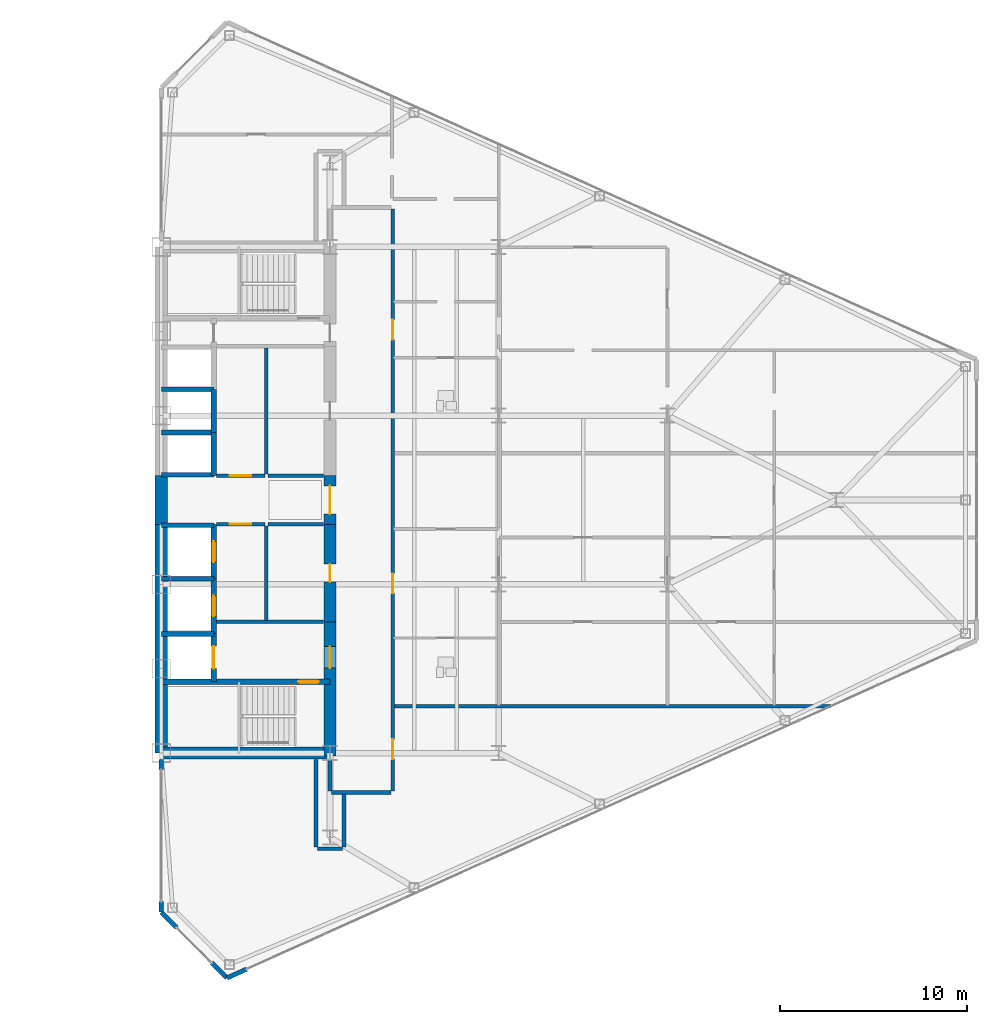
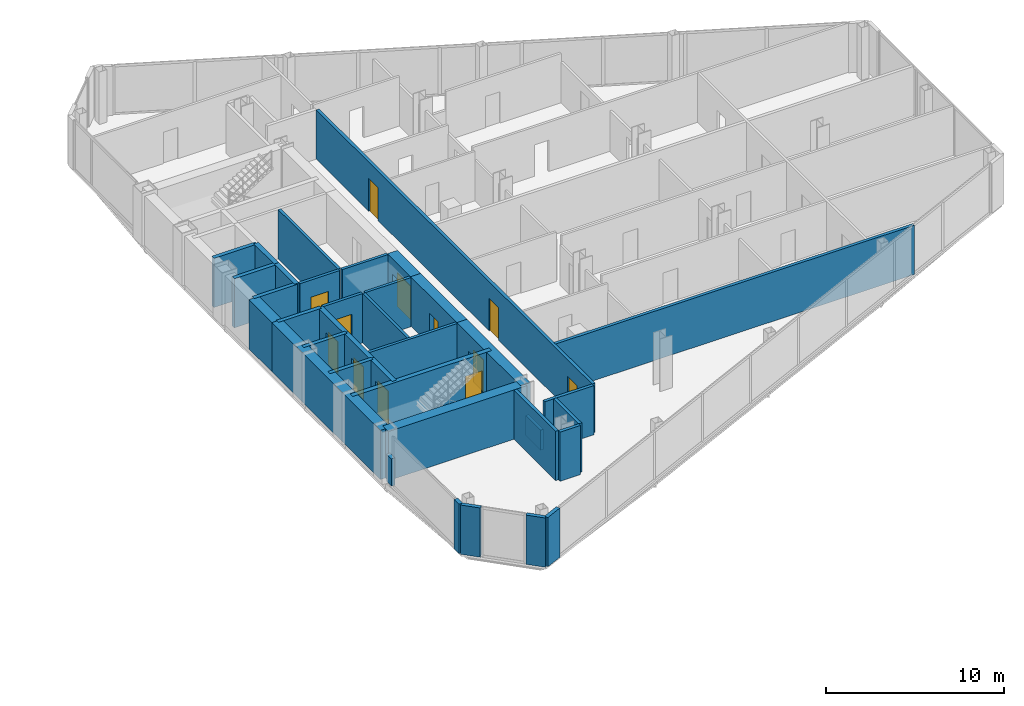
# One storey, part 22 of 27: 37 walls, 12 doors, 12 openings.
"""IFC4 building model written with IfcOpenShell, lengths in metres."""

from ifc_helpers import new_model, si_unit, direction, frame, frame_2d, origin, place, context, subcontext, project, spatial, rectangle, extrude, source, transform, mapped, material, layer, layer_set, type_object, type_shapes, element, fill, save


model = new_model("IFC4")

# Units and contexts
model_context = context("Model", 3, precision=1e-05, world=origin(), true_north=direction((0.0, 1.0)))
body_context = subcontext(model_context, "Body", "Model", "MODEL_VIEW")
ifc_project = project(units=[si_unit("LENGTHUNIT", "METRE"), si_unit("AREAUNIT", "SQUARE_METRE"), si_unit("VOLUMEUNIT", "CUBIC_METRE"), si_unit("PLANEANGLEUNIT", "RADIAN"), si_unit("MASSUNIT", "GRAM", prefix="KILO")], contexts=[model_context])

# Site, building, storey
site_placement = place(None, origin())
site = spatial("IfcSite", under=ifc_project, at=site_placement, CompositionType="ELEMENT")
building_placement = place(site_placement, origin())
building = spatial("IfcBuilding", under=site, at=building_placement, Name="Seokmaru Belvedere", CompositionType="ELEMENT")
storey_placement = place(building_placement, frame((0.0, 0.0, 106.800048828125)))
storey = spatial("IfcBuildingStorey", under=building, at=storey_placement, Name="L28", CompositionType="ELEMENT", Elevation=106.800048828125)

# Walls
ifc_material_1 = material(Name="Fire-Rated Gypsum Shaftwall")
ifc_layer_1 = layer(ifc_material_1, 0.179931640625)
ifc_layer_set_1 = layer_set([ifc_layer_1], Name="Fire-Rated Gypsum Shaftwall")
wall_type_1 = type_object("IfcWallType", Name="Core Service Fire Partition 180", PredefinedType="PARTITIONING", material=ifc_layer_set_1)
wall_1_placement = place(storey_placement, frame((30.449951171875, -6.5, 0.0), z_axis=(0.0, 0.0, 1.0), x_axis=(1.0, 0.0, 0.0)))
element("IfcWall", 1, at=wall_1_placement, inside=storey, type_object=wall_type_1, Name="L28 East Firefighting Lobby Partition", PredefinedType="PARTITIONING", context=body_context, shape_type="SweptSolid", body=[
    extrude(rectangle(XDim=5.699951171875, YDim=0.179931640625, at=frame_2d((2.85009765625, 0.0))), origin(), (0.0, 0.0, 1.0), 3.3798828125),
])
wall_2_placement = place(storey_placement, frame((33.10009765625, -6.419921875, 0.0), z_axis=(0.0, 0.0, 1.0), x_axis=(0.0, 1.0, 0.0)))
element("IfcWall", 2, at=wall_2_placement, inside=storey, type_object=wall_type_1, Name="L28 East South Core Service Back Wall", PredefinedType="PARTITIONING", context=body_context, shape_type="SweptSolid", body=[
    extrude(rectangle(XDim=5.0400390625, YDim=0.179931640625, at=frame_2d((2.52001953125, 0.0))), origin(), (0.0, 0.0, 1.0), 3.3798828125),
])
wall_3_placement = place(storey_placement, frame((33.10009765625, 1.3798828125, 0.0), z_axis=(0.0, 0.0, 1.0), x_axis=(0.0, 1.0, 0.0)))
element("IfcWall", 3, at=wall_3_placement, inside=storey, type_object=wall_type_1, Name="L28 East North Core Service Back Wall", PredefinedType="PARTITIONING", context=body_context, shape_type="SweptSolid", body=[
    extrude(rectangle(XDim=6.740234375, YDim=0.179931640625, at=frame_2d((3.3701171875, 0.0))), origin(), (0.0, 0.0, 1.0), 3.3798828125),
])

# Wall, opening, door
wall_4_placement = place(storey_placement, frame((30.449951171875, -1.300048828125, 0.0), z_axis=(0.0, 0.0, 1.0), x_axis=(1.0, 0.0, 0.0)))
wall_4 = element("IfcWall", 4, at=wall_4_placement, inside=storey, type_object=wall_type_1, Name="L28 East South Lift Lobby Foyer Wall", PredefinedType="PARTITIONING", context=body_context, shape_type="SweptSolid", body=[
    extrude(rectangle(XDim=2.570068359375, YDim=0.179931640625, at=frame_2d((1.28515625, 0.0))), origin(), (0.0, 0.0, 1.0), 3.3798828125),
])
opening_1_placement = place(wall_4_placement, frame((0.7099609375, 0.0, 0.0)))
opening_1 = element("IfcOpeningElement", 5, at=opening_1_placement, cuts=wall_4, Name="Opening D02", PredefinedType="OPENING", context=body_context, shape_type="SweptSolid", body=[
    extrude(rectangle(XDim=1.14990234375, YDim=2.199951171875, at=frame_2d((0.574951171875, 1.10009765625))), frame((0.0, 0.10009765625, 0.0), z_axis=(0.0, -1.0, 0.0), x_axis=(1.0, 0.0, 0.0)), (0.0, 0.0, 1.0), 0.199951171875),
])
ifc_material_2 = material(Name="Fire-Rated Steel Leaf", Category="steel")
door_type_1 = type_object("IfcDoorType", Name="Lobby and Vestibule Fire Door 1150x2200", OperationType="NOTDEFINED", PredefinedType="DOOR", material=ifc_material_2)
shared_shape_1 = source(origin(), body_context, "Body", "SweptSolid", [
    extrude(rectangle(XDim=1.14990234375, YDim=2.199951171875, at=frame_2d((0.574951171875, 1.10009765625))), frame((0.0, 0.02490234375, 0.0), z_axis=(0.0, -1.0, 0.0), x_axis=(1.0, 0.0, 0.0)), (0.0, 0.0, 1.0), 0.050048828125),
])
type_shapes(door_type_1, [shared_shape_1])
door_1_placement = place(opening_1_placement, origin())
door_1 = element("IfcDoor", 6, at=door_1_placement, inside=storey, type_object=door_type_1, Name="L28 East South Core Foyer Door", OperationType="SINGLE_SWING_RIGHT", OverallHeight=2.199951171875, OverallWidth=1.14990234375, PredefinedType="DOOR", context=body_context, shape_type="MappedRepresentation", body=[
    mapped(shared_shape_1, transform((0.0, 0.0, 0.0), scale=1.0)),
])
fill(opening_1, door_1)

wall_5_placement = place(storey_placement, frame((30.449951171875, 1.300048828125, 0.0), z_axis=(0.0, 0.0, 1.0), x_axis=(1.0, 0.0, 0.0)))
wall_5 = element("IfcWall", 7, at=wall_5_placement, inside=storey, type_object=wall_type_1, Name="L28 East North Lift Lobby Foyer Wall", PredefinedType="PARTITIONING", context=body_context, shape_type="SweptSolid", body=[
    extrude(rectangle(XDim=2.570068359375, YDim=0.179931640625, at=frame_2d((1.28515625, 0.0))), origin(), (0.0, 0.0, 1.0), 3.3798828125),
])
opening_2_placement = place(wall_5_placement, frame((0.7099609375, 0.0, 0.0)))
opening_2 = element("IfcOpeningElement", 8, at=opening_2_placement, cuts=wall_5, Name="Opening D02", PredefinedType="OPENING", context=body_context, shape_type="SweptSolid", body=[
    extrude(rectangle(XDim=1.14990234375, YDim=2.199951171875, at=frame_2d((0.574951171875, 1.10009765625))), frame((0.0, 0.10009765625, 0.0), z_axis=(0.0, -1.0, 0.0), x_axis=(1.0, 0.0, 0.0)), (0.0, 0.0, 1.0), 0.199951171875),
])
door_2_placement = place(opening_2_placement, origin())
door_2 = element("IfcDoor", 9, at=door_2_placement, inside=storey, type_object=door_type_1, Name="L28 East North Lift Lobby Door", OperationType="SINGLE_SWING_LEFT", OverallHeight=2.199951171875, OverallWidth=1.14990234375, PredefinedType="DOOR", context=body_context, shape_type="MappedRepresentation", body=[
    mapped(shared_shape_1, transform((0.0, 0.0, 0.0), scale=1.0)),
])
fill(opening_2, door_2)

# Walls
for number, where, z_axis, x_axis, name in (
    (10, (33.199951171875, -1.300048828125, 0.0), (0.0, 0.0, 1.0), (1.0, 0.0, 0.0), "L28 East Foyer Side Wall S"),
    (11, (33.199951171875, 1.300048828125, 0.0), (0.0, 0.0, 1.0), (1.0, 0.0, 0.0), "L28 East Foyer Side Wall N"),
):
    element("IfcWall", number, at=place(storey_placement, frame(where, z_axis=z_axis, x_axis=x_axis)), inside=storey, type_object=wall_type_1, Name=name, PredefinedType="PARTITIONING", context=body_context, shape_type="SweptSolid", body=[
        extrude(rectangle(XDim=2.949951171875, YDim=0.179931640625, at=frame_2d((1.47509765625, 0.0))), origin(), (0.0, 0.0, 1.0), 3.3798828125),
    ])
ifc_material_3 = material(Name="Concrete C50 (50 MPa)", Category="concrete")
ifc_layer_2 = layer(ifc_material_3, 0.25)
ifc_layer_set_2 = layer_set([ifc_layer_2], Name="Concrete C50 (50 MPa)")
wall_type_2 = type_object("IfcWallType", Name="Hoistway Transverse Concrete Divider Wall 250", PredefinedType="SHEAR", material=ifc_layer_set_2)
for number, where, z_axis, x_axis, name in (
    (12, (27.5, -7.14990234375, 0.0), (0.0, 0.0, 1.0), (1.0, 0.0, 0.0), "L28 East Hoistway Divider Core Wall 1"),
    (13, (27.5, -4.199951171875, 0.0), (0.0, 0.0, 1.0), (1.0, 0.0, 0.0), "L28 East Hoistway Divider Core Wall 2"),
    (14, (27.5, -1.35009765625, 0.0), (0.0, 0.0, 1.0), (1.0, 0.0, 0.0), "L28 East Hoistway Divider Core Wall 3"),
    (15, (27.5, 1.35009765625, 0.0), (0.0, 0.0, 1.0), (1.0, 0.0, 0.0), "L28 East Hoistway Divider Core Wall 4"),
    (16, (27.5, 3.60009765625, 0.0), (0.0, 0.0, 1.0), (1.0, 0.0, 0.0), "L28 East Hoistway Divider Core Wall 5"),
    (17, (27.5, 5.89990234375, 0.0), (0.0, 0.0, 1.0), (1.0, 0.0, 0.0), "L28 East Hoistway Divider Core Wall 6"),
):
    element("IfcWall", number, at=place(storey_placement, frame(where, z_axis=z_axis, x_axis=x_axis)), inside=storey, type_object=wall_type_2, Name=name, PredefinedType="SHEAR", context=body_context, shape_type="SweptSolid", body=[
        extrude(rectangle(XDim=2.800048828125, YDim=0.25, at=frame_2d((1.39990234375, 0.0))), origin(), (0.0, 0.0, 1.0), 3.3798828125),
    ])
ifc_layer_3 = layer(ifc_material_1, 0.199951171875)
ifc_layer_set_3 = layer_set([ifc_layer_3], Name="Fire-Rated Gypsum Shaftwall")
wall_type_3 = type_object("IfcWallType", Name="Inter-Tenancy Fire Compartment Partition 200", PredefinedType="PARTITIONING", material=ifc_layer_set_3)
wall_6_placement = place(storey_placement, frame((35.8349609375, -18.60009765625, 0.0), z_axis=(0.0, 0.0, 1.0), x_axis=(1.0, 0.0, 0.0)))
element("IfcWall", 18, at=wall_6_placement, inside=storey, type_object=wall_type_3, Name="L28 Interior Partition 003", PredefinedType="PARTITIONING", context=body_context, shape_type="SweptSolid", body=[
    extrude(rectangle(XDim=1.330078125, YDim=0.199951171875, at=frame_2d((0.6650390625, 0.0))), origin(), (0.0, 0.0, 1.0), 3.3798828125),
])
wall_7_placement = place(storey_placement, frame((36.5849609375, -15.60009765625, 0.0), z_axis=(0.0, 0.0, 1.0), x_axis=(1.0, 0.0, 0.0)))
element("IfcWall", 19, at=wall_7_placement, inside=storey, type_object=wall_type_3, Name="L28 Interior Partition 006", PredefinedType="PARTITIONING", context=body_context, shape_type="SweptSolid", body=[
    extrude(rectangle(XDim=3.179931640625, YDim=0.199951171875, at=frame_2d((1.58984375, 0.0))), origin(), (0.0, 0.0, 1.0), 3.3798828125),
])
wall_8_placement = place(storey_placement, frame((39.929931640625, -11.0, 0.0), z_axis=(0.0, 0.0, 1.0), x_axis=(1.0, 0.0, 0.0)))
element("IfcWall", 20, at=wall_8_placement, inside=storey, type_object=wall_type_3, Name="L28 Interior Partition 009", PredefinedType="PARTITIONING", context=body_context, shape_type="SweptSolid", body=[
    extrude(rectangle(XDim=23.303955078125, YDim=0.199951171875, at=frame_2d((11.65185546875, 0.0))), origin(), (0.0, 0.0, 1.0), 3.3798828125),
])
wall_9_placement = place(storey_placement, frame((35.75, -18.514892578125, 0.0), z_axis=(0.0, 0.0, 1.0), x_axis=(0.0, 1.0, 0.0)))
element("IfcWall", 21, at=wall_9_placement, inside=storey, type_object=wall_type_3, Name="L28 Interior Partition 053", PredefinedType="PARTITIONING", context=body_context, shape_type="SweptSolid", body=[
    extrude(rectangle(XDim=4.684814453125, YDim=0.199951171875, at=frame_2d((2.34228515625, 0.0))), origin(), (0.0, 0.0, 1.0), 3.3798828125),
])
wall_10_placement = place(storey_placement, frame((36.5, -15.514892578125, 0.0), z_axis=(0.0, 0.0, 1.0), x_axis=(0.0, 1.0, 0.0)))
element("IfcWall", 22, at=wall_10_placement, inside=storey, type_object=wall_type_3, Name="L28 Interior Partition 055", PredefinedType="PARTITIONING", context=body_context, shape_type="SweptSolid", body=[
    extrude(rectangle(XDim=1.684814453125, YDim=0.199951171875, at=frame_2d((0.84228515625, 0.0))), origin(), (0.0, 0.0, 1.0), 1.3798828125),
])
wall_11_placement = place(storey_placement, frame((37.25, -18.514892578125, 0.0), z_axis=(0.0, 0.0, 1.0), x_axis=(0.0, 1.0, 0.0)))
element("IfcWall", 23, at=wall_11_placement, inside=storey, type_object=wall_type_3, Name="L28 Interior Partition 057", PredefinedType="PARTITIONING", context=body_context, shape_type="SweptSolid", body=[
    extrude(rectangle(XDim=2.829833984375, YDim=0.199951171875, at=frame_2d((1.4150390625, 0.0))), origin(), (0.0, 0.0, 1.0), 3.3798828125),
])

# Wall, openings, doors
wall_12_placement = place(storey_placement, frame((39.85009765625, -15.514892578125, 0.0), z_axis=(0.0, 0.0, 1.0), x_axis=(0.0, 1.0, 0.0)))
wall_12 = element("IfcWall", 24, at=wall_12_placement, inside=storey, type_object=wall_type_3, Name="L28 Interior Partition 060", PredefinedType="PARTITIONING", context=body_context, shape_type="SweptSolid", body=[
    extrude(rectangle(XDim=31.02978515625, YDim=0.199951171875, at=frame_2d((15.514892578125, 0.0))), origin(), (0.0, 0.0, 1.0), 3.3798828125),
])
opening_3_placement = place(wall_12_placement, frame((1.68994140625, 0.0, 0.0)))
opening_3 = element("IfcOpeningElement", 25, at=opening_3_placement, cuts=wall_12, Name="Opening D03", PredefinedType="OPENING", context=body_context, shape_type="SweptSolid", body=[
    extrude(rectangle(XDim=1.050048828125, YDim=2.25, at=frame_2d((0.52490234375, 1.125))), frame((0.0, 0.10986328125, 0.0), z_axis=(0.0, -1.0, 0.0), x_axis=(1.0, 0.0, 0.0)), (0.0, 0.0, 1.0), 0.219970703125),
])
opening_4_placement = place(wall_12_placement, frame((10.53759765625, 0.0, 0.0)))
opening_4 = element("IfcOpeningElement", 26, at=opening_4_placement, cuts=wall_12, Name="Opening D03", PredefinedType="OPENING", context=body_context, shape_type="SweptSolid", body=[
    extrude(rectangle(XDim=1.050048828125, YDim=2.25, at=frame_2d((0.52490234375, 1.125))), frame((0.0, 0.10986328125, 0.0), z_axis=(0.0, -1.0, 0.0), x_axis=(1.0, 0.0, 0.0)), (0.0, 0.0, 1.0), 0.219970703125),
])
opening_5_placement = place(wall_12_placement, frame((24.0673828125, 0.0, 0.0)))
opening_5 = element("IfcOpeningElement", 27, at=opening_5_placement, cuts=wall_12, Name="Opening D03", PredefinedType="OPENING", context=body_context, shape_type="SweptSolid", body=[
    extrude(rectangle(XDim=1.050048828125, YDim=2.25, at=frame_2d((0.52490234375, 1.125))), frame((0.0, 0.10986328125, 0.0), z_axis=(0.0, -1.0, 0.0), x_axis=(1.0, 0.0, 0.0)), (0.0, 0.0, 1.0), 0.219970703125),
])
door_type_2 = type_object("IfcDoorType", Name="Apartment Entrance Fire Door 1050x2250", OperationType="NOTDEFINED", PredefinedType="DOOR", material=ifc_material_2)
shared_shape_2 = source(origin(), body_context, "Body", "SweptSolid", [
    extrude(rectangle(XDim=1.050048828125, YDim=2.25, at=frame_2d((0.52490234375, 1.125))), frame((0.0, 0.02490234375, 0.0), z_axis=(0.0, -1.0, 0.0), x_axis=(1.0, 0.0, 0.0)), (0.0, 0.0, 1.0), 0.050048828125),
])
type_shapes(door_type_2, [shared_shape_2])
door_3_placement = place(opening_3_placement, origin())
door_3 = element("IfcDoor", 28, at=door_3_placement, inside=storey, type_object=door_type_2, Name="L28 Interior Door 036", OperationType="SINGLE_SWING_LEFT", OverallHeight=2.25, OverallWidth=1.050048828125, PredefinedType="DOOR", context=body_context, shape_type="MappedRepresentation", body=[
    mapped(shared_shape_2, transform((0.0, 0.0, 0.0), scale=1.0)),
])
fill(opening_3, door_3)
door_4_placement = place(opening_4_placement, origin())
door_4 = element("IfcDoor", 29, at=door_4_placement, inside=storey, type_object=door_type_2, Name="L28 Interior Door 037", OperationType="SINGLE_SWING_RIGHT", OverallHeight=2.25, OverallWidth=1.050048828125, PredefinedType="DOOR", context=body_context, shape_type="MappedRepresentation", body=[
    mapped(shared_shape_2, transform((0.0, 0.0, 0.0), scale=1.0)),
])
fill(opening_4, door_4)
door_5_placement = place(opening_5_placement, origin())
door_5 = element("IfcDoor", 30, at=door_5_placement, inside=storey, type_object=door_type_2, Name="L28 Interior Door 049", OperationType="SINGLE_SWING_LEFT", OverallHeight=2.25, OverallWidth=1.050048828125, PredefinedType="DOOR", context=body_context, shape_type="MappedRepresentation", body=[
    mapped(shared_shape_2, transform((0.0, 0.0, 0.0), scale=1.0)),
])
fill(opening_5, door_5)

# Wall, opening, door
ifc_layer_4 = layer(ifc_material_3, 0.300048828125)
ifc_layer_set_4 = layer_set([ifc_layer_4], Name="Concrete C50 (50 MPa)")
wall_type_4 = type_object("IfcWallType", Name="Internal Core Stair and Hoistway Wall 300", PredefinedType="SHEAR", material=ifc_layer_set_4)
wall_13_placement = place(storey_placement, frame((27.5, -9.699951171875, 0.0), z_axis=(0.0, 0.0, 1.0), x_axis=(1.0, 0.0, 0.0)))
wall_13 = element("IfcWall", 31, at=wall_13_placement, inside=storey, type_object=wall_type_4, Name="L28 East Stair ST-1 Enclosure Wall", PredefinedType="SHEAR", context=body_context, shape_type="SweptSolid", body=[
    extrude(rectangle(XDim=9.0, YDim=0.300048828125, at=frame_2d((4.5, 0.0))), origin(), (0.0, 0.0, 1.0), 3.3798828125),
])
opening_6_placement = place(wall_13_placement, frame((7.300048828125, 0.0, 0.0)))
opening_6 = element("IfcOpeningElement", 32, at=opening_6_placement, cuts=wall_13, Name="Opening D01", PredefinedType="OPENING", context=body_context, shape_type="SweptSolid", body=[
    extrude(rectangle(XDim=1.10009765625, YDim=2.199951171875, at=frame_2d((0.550048828125, 1.10009765625))), frame((0.0, 0.16015625, 0.0), z_axis=(0.0, -1.0, 0.0), x_axis=(1.0, 0.0, 0.0)), (0.0, 0.0, 1.0), 0.320068359375),
])
door_type_3 = type_object("IfcDoorType", Name="Special Escape Stair Smokeproof Fire Door 1100x2200", OperationType="NOTDEFINED", PredefinedType="DOOR", material=ifc_material_2)
shared_shape_3 = source(origin(), body_context, "Body", "SweptSolid", [
    extrude(rectangle(XDim=1.10009765625, YDim=2.199951171875, at=frame_2d((0.550048828125, 1.10009765625))), frame((0.0, 0.02490234375, 0.0), z_axis=(0.0, -1.0, 0.0), x_axis=(1.0, 0.0, 0.0)), (0.0, 0.0, 1.0), 0.050048828125),
])
type_shapes(door_type_3, [shared_shape_3])
door_6_placement = place(opening_6_placement, frame((1.10009765625, 0.0, 0.0), z_axis=(0.0, 0.0, 1.0), x_axis=(-1.0, 0.0, 0.0)))
door_6 = element("IfcDoor", 33, at=door_6_placement, inside=storey, type_object=door_type_3, Name="L28 East Special Escape Stair ST-1 Door", OperationType="SINGLE_SWING_RIGHT", OverallHeight=2.199951171875, OverallWidth=1.10009765625, PredefinedType="DOOR", context=body_context, shape_type="MappedRepresentation", body=[
    mapped(shared_shape_3, transform((0.0, 0.0, 0.0), scale=1.0)),
])
fill(opening_6, door_6)

wall_14_placement = place(storey_placement, frame((30.300048828125, -9.679931640625, 0.0), z_axis=(0.0, 0.0, 1.0), x_axis=(0.0, 1.0, 0.0)))
wall_14 = element("IfcWall", 34, at=wall_14_placement, inside=storey, type_object=wall_type_4, Name="L28 East Firefighting Lift Shaft Front Wall", PredefinedType="SHEAR", context=body_context, shape_type="SweptSolid", body=[
    extrude(rectangle(XDim=2.559814453125, YDim=0.300048828125, at=frame_2d((1.27978515625, 0.0))), origin(), (0.0, 0.0, 1.0), 3.3798828125),
])
opening_7_placement = place(wall_14_placement, frame((0.679931640625, 0.0, 0.0)))
opening_7 = element("IfcOpeningElement", 35, at=opening_7_placement, cuts=wall_14, Name="Opening LD2", PredefinedType="OPENING", context=body_context, shape_type="SweptSolid", body=[
    extrude(rectangle(XDim=1.199951171875, YDim=2.25, at=frame_2d((0.60009765625, 1.125))), frame((0.0, 0.16015625, 0.0), z_axis=(0.0, -1.0, 0.0), x_axis=(1.0, 0.0, 0.0)), (0.0, 0.0, 1.0), 0.320068359375),
])
ifc_material_4 = material(Name="Stainless Steel 316", Category="steel")
door_type_4 = type_object("IfcDoorType", Name="Firefighting Lift Sliding Landing Door 1200x2250", OperationType="DOUBLE_DOOR_SLIDING", PredefinedType="DOOR", material=ifc_material_4)
shared_shape_4 = source(origin(), body_context, "Body", "SweptSolid", [
    extrude(rectangle(XDim=1.199951171875, YDim=2.25, at=frame_2d((0.60009765625, 1.125))), frame((0.0, 0.02490234375, 0.0), z_axis=(0.0, -1.0, 0.0), x_axis=(1.0, 0.0, 0.0)), (0.0, 0.0, 1.0), 0.050048828125),
])
type_shapes(door_type_4, [shared_shape_4])
door_7_placement = place(opening_7_placement, origin())
door_7 = element("IfcDoor", 36, at=door_7_placement, inside=storey, type_object=door_type_4, Name="L28 East Firefighting Lift Landing Door", OperationType="DOUBLE_DOOR_SLIDING", OverallHeight=2.25, OverallWidth=1.199951171875, PredefinedType="DOOR", context=body_context, shape_type="MappedRepresentation", body=[
    mapped(shared_shape_4, transform((0.0, 0.0, 0.0), scale=1.0)),
])
fill(opening_7, door_7)

wall_15_placement = place(storey_placement, frame((30.300048828125, -7.1201171875, 0.0), z_axis=(0.0, 0.0, 1.0), x_axis=(0.0, 1.0, 0.0)))
wall_15 = element("IfcWall", 37, at=wall_15_placement, inside=storey, type_object=wall_type_4, Name="L28 East Low-Rise Lift PL-1 Front Wall", PredefinedType="SHEAR", context=body_context, shape_type="SweptSolid", body=[
    extrude(rectangle(XDim=2.920166015625, YDim=0.300048828125, at=frame_2d((1.4599609375, 0.0))), origin(), (0.0, 0.0, 1.0), 3.3798828125),
])
opening_8_placement = place(wall_15_placement, frame((0.909912109375, 0.0, 0.0)))
opening_8 = element("IfcOpeningElement", 38, at=opening_8_placement, cuts=wall_15, Name="Opening LD1", PredefinedType="OPENING", context=body_context, shape_type="SweptSolid", body=[
    extrude(rectangle(XDim=1.10009765625, YDim=2.199951171875, at=frame_2d((0.550048828125, 1.10009765625))), frame((0.0, 0.16015625, 0.0), z_axis=(0.0, -1.0, 0.0), x_axis=(1.0, 0.0, 0.0)), (0.0, 0.0, 1.0), 0.320068359375),
])
door_type_5 = type_object("IfcDoorType", Name="Passenger Lift Sliding Landing Door 1100x2200", OperationType="DOUBLE_DOOR_SLIDING", PredefinedType="DOOR", material=ifc_material_4)
shared_shape_5 = source(origin(), body_context, "Body", "SweptSolid", [
    extrude(rectangle(XDim=1.10009765625, YDim=2.199951171875, at=frame_2d((0.550048828125, 1.10009765625))), frame((0.0, 0.02490234375, 0.0), z_axis=(0.0, -1.0, 0.0), x_axis=(1.0, 0.0, 0.0)), (0.0, 0.0, 1.0), 0.050048828125),
])
type_shapes(door_type_5, [shared_shape_5])
door_8_placement = place(opening_8_placement, origin())
door_8 = element("IfcDoor", 39, at=door_8_placement, inside=storey, type_object=door_type_5, Name="L28 East Low-Rise Lift PL-1 Landing Door", OperationType="DOUBLE_DOOR_SLIDING", OverallHeight=2.199951171875, OverallWidth=1.10009765625, PredefinedType="DOOR", context=body_context, shape_type="MappedRepresentation", body=[
    mapped(shared_shape_5, transform((0.0, 0.0, 0.0), scale=1.0)),
])
fill(opening_8, door_8)

wall_16_placement = place(storey_placement, frame((30.300048828125, -4.199951171875, 0.0), z_axis=(0.0, 0.0, 1.0), x_axis=(0.0, 1.0, 0.0)))
wall_16 = element("IfcWall", 40, at=wall_16_placement, inside=storey, type_object=wall_type_4, Name="L28 East Low-Rise Lift PL-2 Front Wall", PredefinedType="SHEAR", context=body_context, shape_type="SweptSolid", body=[
    extrude(rectangle(XDim=2.8798828125, YDim=0.300048828125, at=frame_2d((1.43994140625, 0.0))), origin(), (0.0, 0.0, 1.0), 3.3798828125),
])
opening_9_placement = place(wall_16_placement, frame((0.889892578125, 0.0, 0.0)))
opening_9 = element("IfcOpeningElement", 41, at=opening_9_placement, cuts=wall_16, Name="Opening LD1", PredefinedType="OPENING", context=body_context, shape_type="SweptSolid", body=[
    extrude(rectangle(XDim=1.10009765625, YDim=2.199951171875, at=frame_2d((0.550048828125, 1.10009765625))), frame((0.0, 0.16015625, 0.0), z_axis=(0.0, -1.0, 0.0), x_axis=(1.0, 0.0, 0.0)), (0.0, 0.0, 1.0), 0.320068359375),
])
door_9_placement = place(opening_9_placement, origin())
door_9 = element("IfcDoor", 42, at=door_9_placement, inside=storey, type_object=door_type_5, Name="L28 East Low-Rise Lift PL-2 Landing Door", OperationType="DOUBLE_DOOR_SLIDING", OverallHeight=2.199951171875, OverallWidth=1.10009765625, PredefinedType="DOOR", context=body_context, shape_type="MappedRepresentation", body=[
    mapped(shared_shape_5, transform((0.0, 0.0, 0.0), scale=1.0)),
])
fill(opening_9, door_9)

# Walls
wall_17_placement = place(storey_placement, frame((30.300048828125, 1.320068359375, 0.0), z_axis=(0.0, 0.0, 1.0), x_axis=(0.0, 1.0, 0.0)))
element("IfcWall", 43, at=wall_17_placement, inside=storey, type_object=wall_type_4, Name="L28 East North Hoistway Wall PH1", PredefinedType="SHEAR", context=body_context, shape_type="SweptSolid", body=[
    extrude(rectangle(XDim=2.280029296875, YDim=0.300048828125, at=frame_2d((1.14013671875, 0.0))), origin(), (0.0, 0.0, 1.0), 3.3798828125),
])
wall_18_placement = place(storey_placement, frame((30.300048828125, 3.60009765625, 0.0), z_axis=(0.0, 0.0, 1.0), x_axis=(0.0, 1.0, 0.0)))
element("IfcWall", 44, at=wall_18_placement, inside=storey, type_object=wall_type_4, Name="L28 East North Hoistway Wall PH2", PredefinedType="SHEAR", context=body_context, shape_type="SweptSolid", body=[
    extrude(rectangle(XDim=2.2998046875, YDim=0.300048828125, at=frame_2d((1.14990234375, 0.0))), origin(), (0.0, 0.0, 1.0), 3.3798828125),
])
ifc_material_5 = material(Name="Concrete C60 (60 MPa)", Category="concrete")
ifc_layer_5 = layer(ifc_material_5, 0.64990234375)
ifc_layer_set_5 = layer_set([ifc_layer_5], Name="Concrete C60 (60 MPa)")
wall_type_5 = type_object("IfcWallType", Name="Mid-Low Reinforced Concrete Core Wall 650", PredefinedType="SHEAR", material=ifc_layer_set_5)
wall_19_placement = place(storey_placement, frame((27.5, -13.5, 0.0), z_axis=(0.0, 0.0, 1.0), x_axis=(0.0, 1.0, 0.0)))
element("IfcWall", 45, at=wall_19_placement, inside=storey, type_object=wall_type_5, Name="L28 East Portal Spine Core Wall South", PredefinedType="SHEAR", context=body_context, shape_type="SweptSolid", body=[
    extrude(rectangle(XDim=12.199951171875, YDim=0.64990234375, at=frame_2d((6.10009765625, 0.0))), origin(), (0.0, 0.0, 1.0), 3.3798828125),
])
wall_20_placement = place(storey_placement, frame((27.5, -1.300048828125, 0.0), z_axis=(0.0, 0.0, 1.0), x_axis=(0.0, 1.0, 0.0)))
element("IfcWall", 46, at=wall_20_placement, inside=storey, type_object=wall_type_5, Name="L28 East Portal Spine Core Wall Center", PredefinedType="SHEAR", context=body_context, shape_type="SweptSolid", body=[
    extrude(rectangle(XDim=2.60009765625, YDim=0.64990234375, at=frame_2d((1.300048828125, 0.0))), origin(), (0.0, 0.0, 1.0), 3.3798828125),
])
wall_21_placement = place(storey_placement, frame((27.5, -13.5, 0.0), z_axis=(0.0, 0.0, 1.0), x_axis=(1.0, 0.0, 0.0)))
element("IfcWall", 47, at=wall_21_placement, inside=storey, type_object=wall_type_5, Name="L28 East South Core Wall", PredefinedType="SHEAR", context=body_context, shape_type="SweptSolid", body=[
    extrude(rectangle(XDim=9.0, YDim=0.64990234375, at=frame_2d((4.5, 0.0))), origin(), (0.0, 0.0, 1.0), 3.3798828125),
])

# Wall, opening, door
wall_22_placement = place(storey_placement, frame((36.5, -13.64990234375, 0.0), z_axis=(0.0, 0.0, 1.0), x_axis=(0.0, 1.0, 0.0)))
wall_22 = element("IfcWall", 48, at=wall_22_placement, inside=storey, type_object=wall_type_5, Name="L28 East West Core Wall FF", PredefinedType="SHEAR", context=body_context, shape_type="SweptSolid", body=[
    extrude(rectangle(XDim=7.14990234375, YDim=0.64990234375, at=frame_2d((3.574951171875, 0.0))), origin(), (0.0, 0.0, 1.0), 3.3798828125),
])
opening_10_placement = place(wall_22_placement, frame((4.675048828125, 0.0, 0.0)))
opening_10 = element("IfcOpeningElement", 49, at=opening_10_placement, cuts=wall_22, Name="Opening D02", PredefinedType="OPENING", context=body_context, shape_type="SweptSolid", body=[
    extrude(rectangle(XDim=1.14990234375, YDim=2.199951171875, at=frame_2d((0.574951171875, 1.10009765625))), frame((0.0, 0.3349609375, 0.0), z_axis=(0.0, -1.0, 0.0), x_axis=(1.0, 0.0, 0.0)), (0.0, 0.0, 1.0), 0.669921875),
])
door_10_placement = place(opening_10_placement, origin())
door_10 = element("IfcDoor", 50, at=door_10_placement, inside=storey, type_object=door_type_1, Name="L28 East Firefighting Lobby Door", OperationType="SINGLE_SWING_RIGHT", OverallHeight=2.199951171875, OverallWidth=1.14990234375, PredefinedType="DOOR", context=body_context, shape_type="MappedRepresentation", body=[
    mapped(shared_shape_1, transform((0.0, 0.0, 0.0), scale=1.0)),
])
fill(opening_10, door_10)

wall_23_placement = place(storey_placement, frame((36.5, -1.300048828125, 0.0), z_axis=(0.0, 0.0, 1.0), x_axis=(0.0, 1.0, 0.0)))
wall_23 = element("IfcWall", 51, at=wall_23_placement, inside=storey, type_object=wall_type_5, Name="L28 East West Core Wall FOY", PredefinedType="SHEAR", context=body_context, shape_type="SweptSolid", body=[
    extrude(rectangle(XDim=2.60009765625, YDim=0.64990234375, at=frame_2d((1.300048828125, 0.0))), origin(), (0.0, 0.0, 1.0), 3.3798828125),
])
opening_11_placement = place(wall_23_placement, frame((0.550048828125, 0.0, 0.0)))
opening_11 = element("IfcOpeningElement", 52, at=opening_11_placement, cuts=wall_23, Name="Opening D08", PredefinedType="OPENING", context=body_context, shape_type="SweptSolid", body=[
    extrude(rectangle(XDim=1.5, YDim=2.300048828125, at=frame_2d((0.75, 1.14990234375))), frame((0.0, 0.3349609375, 0.0), z_axis=(0.0, -1.0, 0.0), x_axis=(1.0, 0.0, 0.0)), (0.0, 0.0, 1.0), 0.669921875),
])
door_type_6 = type_object("IfcDoorType", Name="Cross-Corridor Compartment Double Fire Door 1500x2300", OperationType="DOUBLE_SWING_LEFT", PredefinedType="DOOR", material=ifc_material_2)
shared_shape_6 = source(origin(), body_context, "Body", "SweptSolid", [
    extrude(rectangle(XDim=1.5, YDim=2.300048828125, at=frame_2d((0.75, 1.14990234375))), frame((0.0, 0.02490234375, 0.0), z_axis=(0.0, -1.0, 0.0), x_axis=(1.0, 0.0, 0.0)), (0.0, 0.0, 1.0), 0.050048828125),
])
type_shapes(door_type_6, [shared_shape_6])
door_11_placement = place(opening_11_placement, origin())
door_11 = element("IfcDoor", 53, at=door_11_placement, inside=storey, type_object=door_type_6, Name="L28 East Core Foyer Compartment Door", OperationType="DOUBLE_SWING_LEFT", OverallHeight=2.300048828125, OverallWidth=1.5, PredefinedType="DOOR", context=body_context, shape_type="MappedRepresentation", body=[
    mapped(shared_shape_6, transform((0.0, 0.0, 0.0), scale=1.0)),
])
fill(opening_11, door_11)

wall_24_placement = place(storey_placement, frame((36.5, -6.5, 0.0), z_axis=(0.0, 0.0, 1.0), x_axis=(0.0, 1.0, 0.0)))
wall_24 = element("IfcWall", 54, at=wall_24_placement, inside=storey, type_object=wall_type_5, Name="L28 East West Core Wall CS1", PredefinedType="SHEAR", context=body_context, shape_type="SweptSolid", body=[
    extrude(rectangle(XDim=5.199951171875, YDim=0.64990234375, at=frame_2d((2.60009765625, 0.0))), origin(), (0.0, 0.0, 1.0), 3.3798828125),
])
opening_12_placement = place(wall_24_placement, frame((2.125, 0.0, 0.0)))
opening_12 = element("IfcOpeningElement", 55, at=opening_12_placement, cuts=wall_24, Name="Opening D04", PredefinedType="OPENING", context=body_context, shape_type="SweptSolid", body=[
    extrude(rectangle(XDim=0.949951171875, YDim=2.14990234375, at=frame_2d((0.47509765625, 1.074951171875))), frame((0.0, 0.3349609375, 0.0), z_axis=(0.0, -1.0, 0.0), x_axis=(1.0, 0.0, 0.0)), (0.0, 0.0, 1.0), 0.669921875),
])
door_type_7 = type_object("IfcDoorType", Name="Core Service Room Fire Door 950x2150", OperationType="NOTDEFINED", PredefinedType="DOOR", material=ifc_material_2)
shared_shape_7 = source(origin(), body_context, "Body", "SweptSolid", [
    extrude(rectangle(XDim=0.949951171875, YDim=2.14990234375, at=frame_2d((0.47509765625, 1.074951171875))), frame((0.0, 0.02490234375, 0.0), z_axis=(0.0, -1.0, 0.0), x_axis=(1.0, 0.0, 0.0)), (0.0, 0.0, 1.0), 0.050048828125),
])
type_shapes(door_type_7, [shared_shape_7])
door_12_placement = place(opening_12_placement, origin())
door_12 = element("IfcDoor", 56, at=door_12_placement, inside=storey, type_object=door_type_7, Name="L28 East Core Service Room Door 1", OperationType="SINGLE_SWING_RIGHT", OverallHeight=2.14990234375, OverallWidth=0.949951171875, PredefinedType="DOOR", context=body_context, shape_type="MappedRepresentation", body=[
    mapped(shared_shape_7, transform((0.0, 0.0, 0.0), scale=1.0)),
])
fill(opening_12, door_12)

# Walls
ifc_material_6 = material(Name="Anodised Bronze Aluminium", Category="aluminium")
ifc_layer_6 = layer(ifc_material_6, 0.239990234375)
ifc_layer_set_6 = layer_set([ifc_layer_6], Name="Anodised Bronze Aluminium")
wall_type_6 = type_object("IfcWallType", Name="Tower Corner Spandrel Closure Wall 240", PredefinedType="SOLIDWALL", material=ifc_layer_set_6)
wall_25_placement = place(storey_placement, frame((31.009033203125, -25.495849609375, 0.0), z_axis=(0.0, 0.0, 1.0), x_axis=(0.911929519623, 0.410346866979, 0.0)))
element("IfcWall", 57, at=wall_25_placement, inside=storey, type_object=wall_type_6, Name="L28 E Corner Closure Pier 1A", PredefinedType="SOLIDWALL", context=body_context, shape_type="SweptSolid", body=[
    extrude(rectangle(XDim=1.139892578125, YDim=0.239990234375, at=frame_2d((0.56982421875, 0.0))), origin(), (0.0, 0.0, 1.0), 3.3798828125),
])
wall_26_placement = place(storey_placement, frame((27.5, -21.97998046875, 0.0), z_axis=(0.0, 0.0, 1.0), x_axis=(0.0, 1.0, 0.0)))
element("IfcWall", 58, at=wall_26_placement, inside=storey, type_object=wall_type_6, Name="L28 E Spine Closure Pier 1A", PredefinedType="SOLIDWALL", context=body_context, shape_type="SweptSolid", body=[
    extrude(rectangle(XDim=0.550048828125, YDim=0.239990234375, at=frame_2d((0.27490234375, 0.0))), origin(), (0.0, 0.0, 1.0), 3.3798828125),
])
wall_27_placement = place(storey_placement, frame((27.5, -14.3798828125, 0.0), z_axis=(0.0, 0.0, 1.0), x_axis=(0.0, 1.0, 0.0)))
element("IfcWall", 59, at=wall_27_placement, inside=storey, type_object=wall_type_6, Name="L28 E Spine Closure Pier 1B", PredefinedType="SOLIDWALL", context=body_context, shape_type="SweptSolid", body=[
    extrude(rectangle(XDim=0.5498046875, YDim=0.239990234375, at=frame_2d((0.27490234375, 0.0))), origin(), (0.0, 0.0, 1.0), 1.8798828125),
])
for number, where, z_axis, x_axis, name in (
    (60, (27.507080078125, -22.007080078125, 0.0), (0.0, 0.0, 1.0), (0.707106781187, -0.707106781187, 0.0), "L28 E Corner Closure Pier 6A"),
    (61, (30.186767578125, -24.686767578125, 0.0), (0.0, 0.0, 1.0), (0.707106781187, -0.707106781187, 0.0), "L28 E Corner Closure Pier 6B"),
):
    element("IfcWall", number, at=place(storey_placement, frame(where, z_axis=z_axis, x_axis=x_axis)), inside=storey, type_object=wall_type_6, Name=name, PredefinedType="SOLIDWALL", context=body_context, shape_type="SweptSolid", body=[
        extrude(rectangle(XDim=1.14013671875, YDim=0.239990234375, at=frame_2d((0.570068359375, 0.0))), origin(), (0.0, 0.0, 1.0), 3.3798828125),
    ])

save(model, "model.ifc")
